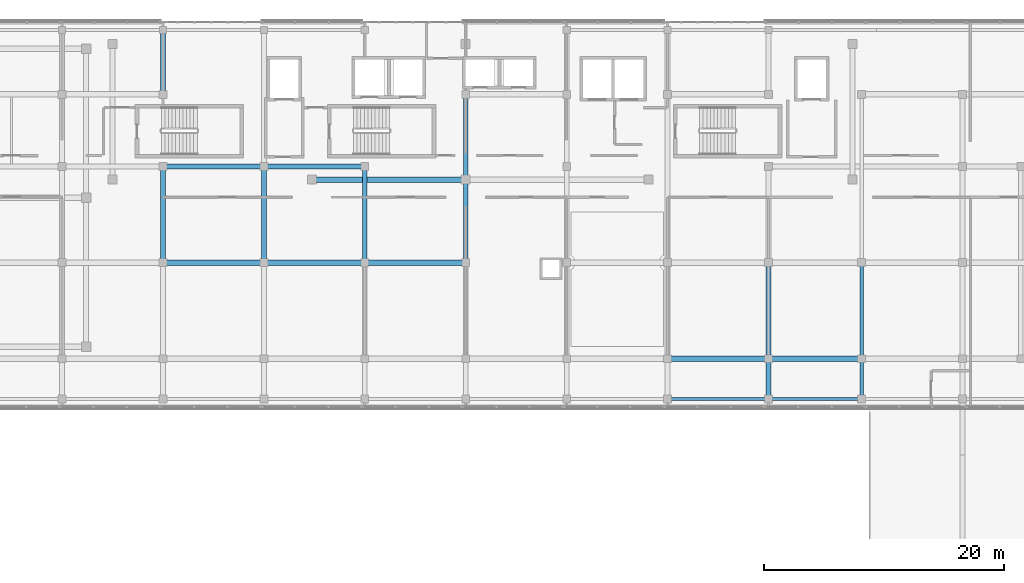
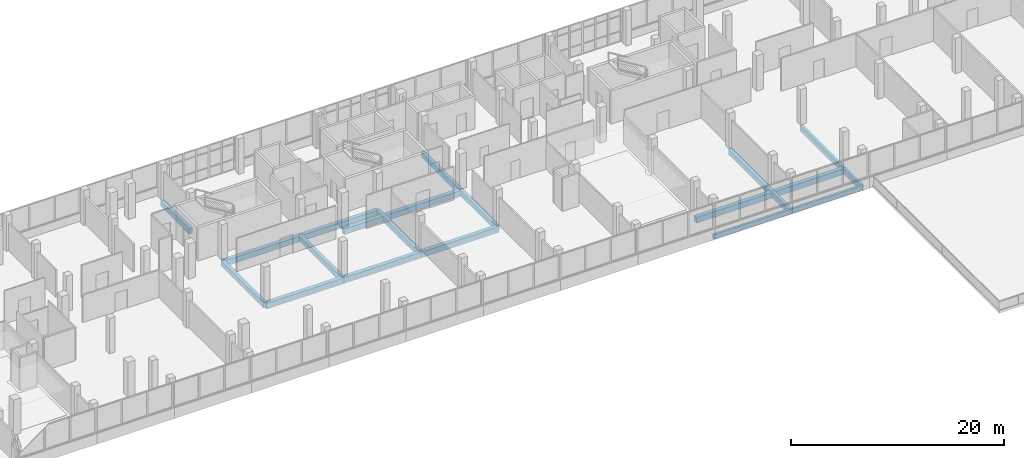
# One storey, part 36 of 76: 20 beams.
"""IFC4 building model written with IfcOpenShell, lengths in metres."""

from ifc_helpers import new_model, si_unit, direction, frame, origin, origin_2d, place, context, subcontext, project, spatial, rectangle, extrude, material, material_profile, profile_set, type_object, element, save


model = new_model("IFC4")

# Units and contexts
model_context = context("Model", 3, precision=1e-05, world=origin(), true_north=direction((0.0, 1.0)))
body_context = subcontext(model_context, "Body", "Model", "MODEL_VIEW")
ifc_project = project(units=[si_unit("LENGTHUNIT", "METRE"), si_unit("AREAUNIT", "SQUARE_METRE"), si_unit("VOLUMEUNIT", "CUBIC_METRE"), si_unit("PLANEANGLEUNIT", "RADIAN"), si_unit("MASSUNIT", "GRAM", prefix="KILO")], contexts=[model_context])

# Site, building, storey
site_placement = place(None, origin())
site = spatial("IfcSite", under=ifc_project, at=site_placement, CompositionType="ELEMENT")
building_placement = place(site_placement, origin())
building = spatial("IfcBuilding", under=site, at=building_placement, Name="Selatvlak General Hospital", CompositionType="ELEMENT")
storey_placement = place(building_placement, frame((0.0, 0.0, 27.300048828125)))
storey = spatial("IfcBuildingStorey", under=building, at=storey_placement, Name="L06", CompositionType="ELEMENT", Elevation=27.300048828125)

# Beams
ifc_material = material(Name="Concrete C40/50", Category="concrete")
ifc_material_profile_1 = material_profile(ifc_material, rectangle(XDim=0.449951171875, YDim=0.64990234375, at=origin_2d()), Name="RC-BM 450x650")
ifc_profile_set_1 = profile_set([ifc_material_profile_1], Name="Concrete C40/50")
beam_type_1 = type_object("IfcBeamType", Name="BM-G04", PredefinedType="BEAM", material=ifc_profile_set_1)
beam_1_placement = place(storey_placement, frame((132.0, 92.0, -0.60009765625), z_axis=(1.0, 0.0, 0.0), x_axis=(0.0, 1.0, 0.0)))
element("IfcBeam", 1, at=beam_1_placement, inside=storey, type_object=beam_type_1, Name="Beam BMR-L06-2175", PredefinedType="BEAM", context=body_context, shape_type="SweptSolid", body=[
    extrude(rectangle(XDim=0.449951171875, YDim=0.64990234375, at=origin_2d()), origin(), (0.0, 0.0, 1.0), 8.39990234375),
])
beam_2_placement = place(storey_placement, frame((140.39990234375, 92.0, -0.60009765625), z_axis=(1.0, 0.0, 0.0), x_axis=(0.0, 1.0, 0.0)))
element("IfcBeam", 2, at=beam_2_placement, inside=storey, type_object=beam_type_1, Name="Beam BMR-L06-2176", PredefinedType="BEAM", context=body_context, shape_type="SweptSolid", body=[
    extrude(rectangle(XDim=0.449951171875, YDim=0.64990234375, at=origin_2d()), origin(), (0.0, 0.0, 1.0), 7.75),
])
beam_3_placement = place(storey_placement, frame((90.0, 100.0, -0.60009765625), z_axis=(1.0, 0.0, 0.0), x_axis=(0.0, 1.0, 0.0)))
element("IfcBeam", 3, at=beam_3_placement, inside=storey, type_object=beam_type_1, Name="Beam BMR-L06-2191", PredefinedType="BEAM", context=body_context, shape_type="SweptSolid", body=[
    extrude(rectangle(XDim=0.449951171875, YDim=0.64990234375, at=origin_2d()), origin(), (0.0, 0.0, 1.0), 8.39990234375),
])
beam_4_placement = place(storey_placement, frame((98.39990234375, 100.0, -0.60009765625), z_axis=(1.0, 0.0, 0.0), x_axis=(0.0, 1.0, 0.0)))
element("IfcBeam", 4, at=beam_4_placement, inside=storey, type_object=beam_type_1, Name="Beam BMR-L06-2192", PredefinedType="BEAM", context=body_context, shape_type="SweptSolid", body=[
    extrude(rectangle(XDim=0.449951171875, YDim=0.64990234375, at=origin_2d()), origin(), (0.0, 0.0, 1.0), 8.400146484375),
])
beam_5_placement = place(storey_placement, frame((106.800048828125, 100.0, -0.60009765625), z_axis=(1.0, 0.0, 0.0), x_axis=(0.0, 1.0, 0.0)))
element("IfcBeam", 5, at=beam_5_placement, inside=storey, type_object=beam_type_1, Name="Beam BMR-L06-2193", PredefinedType="BEAM", context=body_context, shape_type="SweptSolid", body=[
    extrude(rectangle(XDim=0.449951171875, YDim=0.64990234375, at=origin_2d()), origin(), (0.0, 0.0, 1.0), 8.39990234375),
])
beam_6_placement = place(storey_placement, frame((102.39990234375, 106.89990234375, -0.60009765625), z_axis=(1.0, 0.0, 0.0), x_axis=(0.0, 1.0, 0.0)))
element("IfcBeam", 6, at=beam_6_placement, inside=storey, type_object=beam_type_1, Name="Beam BMR-L06-2204", PredefinedType="BEAM", context=body_context, shape_type="SweptSolid", body=[
    extrude(rectangle(XDim=0.449951171875, YDim=0.64990234375, at=origin_2d()), origin(), (0.0, 0.0, 1.0), 12.800048828125),
])
beam_7_placement = place(storey_placement, frame((90.0, 108.0, -0.60009765625), z_axis=(1.0, 0.0, 0.0), x_axis=(0.0, 1.0, 0.0)))
element("IfcBeam", 7, at=beam_7_placement, inside=storey, type_object=beam_type_1, Name="Beam BMR-L06-2211", PredefinedType="BEAM", context=body_context, shape_type="SweptSolid", body=[
    extrude(rectangle(XDim=0.449951171875, YDim=0.64990234375, at=origin_2d()), origin(), (0.0, 0.0, 1.0), 8.39990234375),
])
beam_8_placement = place(storey_placement, frame((98.39990234375, 108.0, -0.60009765625), z_axis=(1.0, 0.0, 0.0), x_axis=(0.0, 1.0, 0.0)))
element("IfcBeam", 8, at=beam_8_placement, inside=storey, type_object=beam_type_1, Name="Beam BMR-L06-2212", PredefinedType="BEAM", context=body_context, shape_type="SweptSolid", body=[
    extrude(rectangle(XDim=0.449951171875, YDim=0.64990234375, at=origin_2d()), origin(), (0.0, 0.0, 1.0), 8.400146484375),
])
ifc_material_profile_2 = material_profile(ifc_material, rectangle(XDim=0.39990234375, YDim=0.60009765625, at=origin_2d()), Name="RC-BM 400x600")
ifc_profile_set_2 = profile_set([ifc_material_profile_2], Name="Concrete C40/50")
beam_type_2 = type_object("IfcBeamType", Name="BM-G05", PredefinedType="BEAM", material=ifc_profile_set_2)
beam_9_placement = place(storey_placement, frame((90.0, 100.0, -0.574951171875), z_axis=(0.0, 1.0, 0.0), x_axis=(-1.0, 0.0, 0.0)))
element("IfcBeam", 9, at=beam_9_placement, inside=storey, type_object=beam_type_2, Name="Beam BMR-L06-2287", PredefinedType="BEAM", context=body_context, shape_type="SweptSolid", body=[
    extrude(rectangle(XDim=0.39990234375, YDim=0.60009765625, at=origin_2d()), origin(), (0.0, 0.0, 1.0), 8.0),
])
beam_10_placement = place(storey_placement, frame((90.0, 114.0, -0.574951171875), z_axis=(0.0, 1.0, 0.0), x_axis=(-1.0, 0.0, 0.0)))
element("IfcBeam", 10, at=beam_10_placement, inside=storey, type_object=beam_type_2, Name="Beam BMR-L06-2288", PredefinedType="BEAM", context=body_context, shape_type="SweptSolid", body=[
    extrude(rectangle(XDim=0.39990234375, YDim=0.60009765625, at=origin_2d()), origin(), (0.0, 0.0, 1.0), 5.35009765625),
])
for number, where, z_axis, x_axis, name in (
    (11, (98.39990234375, 100.0, -0.574951171875), (0.0, 1.0, 0.0), (-1.0, 0.0, 0.0), "Beam BMR-L06-2291"),
    (12, (106.800048828125, 100.0, -0.574951171875), (0.0, 1.0, 0.0), (-1.0, 0.0, 0.0), "Beam BMR-L06-2295"),
):
    element("IfcBeam", number, at=place(storey_placement, frame(where, z_axis=z_axis, x_axis=x_axis)), inside=storey, type_object=beam_type_2, Name=name, PredefinedType="BEAM", context=body_context, shape_type="SweptSolid", body=[
        extrude(rectangle(XDim=0.39990234375, YDim=0.60009765625, at=origin_2d()), origin(), (0.0, 0.0, 1.0), 8.0),
    ])
beam_11_placement = place(storey_placement, frame((115.199951171875, 100.0, -0.574951171875), z_axis=(0.0, 1.0, 0.0), x_axis=(-1.0, 0.0, 0.0)))
element("IfcBeam", 13, at=beam_11_placement, inside=storey, type_object=beam_type_2, Name="Beam BMR-L06-2298", PredefinedType="BEAM", context=body_context, shape_type="SweptSolid", body=[
    extrude(rectangle(XDim=0.39990234375, YDim=0.60009765625, at=origin_2d()), origin(), (0.0, 0.0, 1.0), 6.89990234375),
])
beam_12_placement = place(storey_placement, frame((115.199951171875, 106.89990234375, -0.574951171875), z_axis=(0.0, 1.0, 0.0), x_axis=(-1.0, 0.0, 0.0)))
element("IfcBeam", 14, at=beam_12_placement, inside=storey, type_object=beam_type_2, Name="Beam BMR-L06-2299", PredefinedType="BEAM", context=body_context, shape_type="SweptSolid", body=[
    extrude(rectangle(XDim=0.39990234375, YDim=0.60009765625, at=origin_2d()), origin(), (0.0, 0.0, 1.0), 7.10009765625),
])
beam_13_placement = place(storey_placement, frame((140.39990234375, 88.64990234375, -0.574951171875), z_axis=(0.0, 1.0, 0.0), x_axis=(-1.0, 0.0, 0.0)))
element("IfcBeam", 15, at=beam_13_placement, inside=storey, type_object=beam_type_2, Name="Beam BMR-L06-2309", PredefinedType="BEAM", context=body_context, shape_type="SweptSolid", body=[
    extrude(rectangle(XDim=0.39990234375, YDim=0.60009765625, at=origin_2d()), origin(), (0.0, 0.0, 1.0), 3.35009765625),
])
beam_14_placement = place(storey_placement, frame((140.39990234375, 92.0, -0.574951171875), z_axis=(0.0, 1.0, 0.0), x_axis=(-1.0, 0.0, 0.0)))
element("IfcBeam", 16, at=beam_14_placement, inside=storey, type_object=beam_type_2, Name="Beam BMR-L06-2310", PredefinedType="BEAM", context=body_context, shape_type="SweptSolid", body=[
    extrude(rectangle(XDim=0.39990234375, YDim=0.60009765625, at=origin_2d()), origin(), (0.0, 0.0, 1.0), 8.0),
])
ifc_material_profile_3 = material_profile(ifc_material, rectangle(XDim=0.300048828125, YDim=0.64990234375, at=origin_2d()), Name="RC-SP 300x650")
ifc_profile_set_3 = profile_set([ifc_material_profile_3], Name="Concrete C40/50")
beam_type_3 = type_object("IfcBeamType", Name="BM-SP1", PredefinedType="SPANDREL", material=ifc_profile_set_3)
beam_15_placement = place(storey_placement, frame((148.14990234375, 88.64990234375, -0.60009765625), z_axis=(0.0, 1.0, 0.0), x_axis=(-1.0, 0.0, 0.0)))
element("IfcBeam", 17, at=beam_15_placement, inside=storey, type_object=beam_type_3, Name="Beam BMR-L06-2314", PredefinedType="SPANDREL", context=body_context, shape_type="SweptSolid", body=[
    extrude(rectangle(XDim=0.300048828125, YDim=0.64990234375, at=origin_2d()), origin(), (0.0, 0.0, 1.0), 3.35009765625),
])
beam_16_placement = place(storey_placement, frame((148.14990234375, 92.0, -0.60009765625), z_axis=(0.0, 1.0, 0.0), x_axis=(-1.0, 0.0, 0.0)))
element("IfcBeam", 18, at=beam_16_placement, inside=storey, type_object=beam_type_3, Name="Beam BMR-L06-2315", PredefinedType="SPANDREL", context=body_context, shape_type="SweptSolid", body=[
    extrude(rectangle(XDim=0.300048828125, YDim=0.64990234375, at=origin_2d()), origin(), (0.0, 0.0, 1.0), 8.0),
])
ifc_material_profile_4 = material_profile(ifc_material, rectangle(XDim=0.25, YDim=0.550048828125, at=origin_2d()), Name="RC-SP 250x550")
ifc_profile_set_4 = profile_set([ifc_material_profile_4], Name="Concrete C40/50")
beam_type_4 = type_object("IfcBeamType", Name="BM-SP2", PredefinedType="SPANDREL", material=ifc_profile_set_4)
beam_17_placement = place(storey_placement, frame((132.0, 88.64990234375, -0.550048828125), z_axis=(1.0, 0.0, 0.0), x_axis=(0.0, 1.0, 0.0)))
element("IfcBeam", 19, at=beam_17_placement, inside=storey, type_object=beam_type_4, Name="Beam BMR-L06-2156", PredefinedType="SPANDREL", context=body_context, shape_type="SweptSolid", body=[
    extrude(rectangle(XDim=0.25, YDim=0.550048828125, at=origin_2d()), origin(), (0.0, 0.0, 1.0), 8.39990234375),
])
beam_18_placement = place(storey_placement, frame((140.39990234375, 88.64990234375, -0.550048828125), z_axis=(1.0, 0.0, 0.0), x_axis=(0.0, 1.0, 0.0)))
element("IfcBeam", 20, at=beam_18_placement, inside=storey, type_object=beam_type_4, Name="Beam BMR-L06-2157", PredefinedType="SPANDREL", context=body_context, shape_type="SweptSolid", body=[
    extrude(rectangle(XDim=0.25, YDim=0.550048828125, at=origin_2d()), origin(), (0.0, 0.0, 1.0), 7.75),
])

save(model, "model.ifc")
